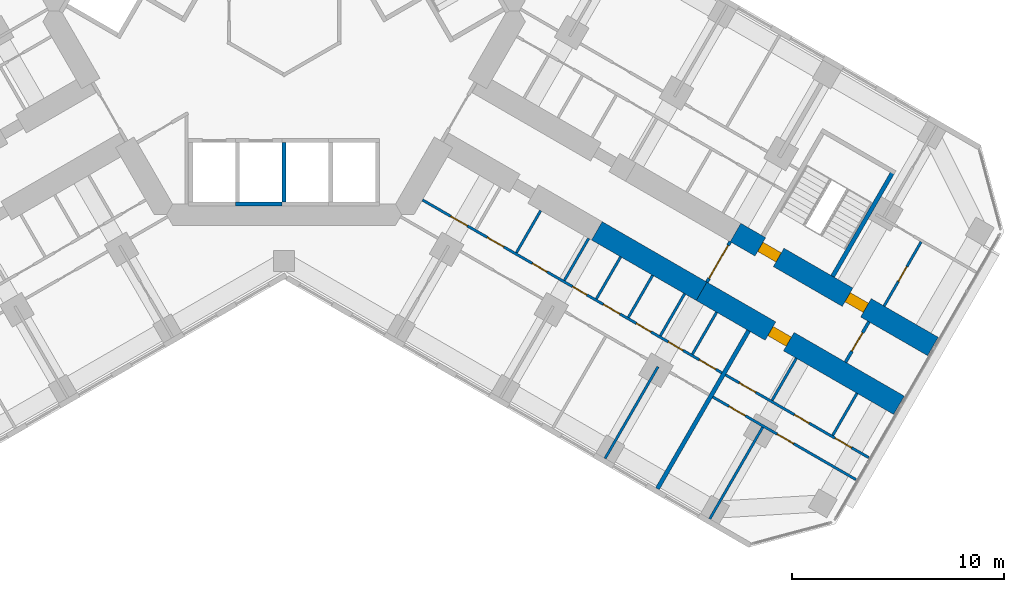
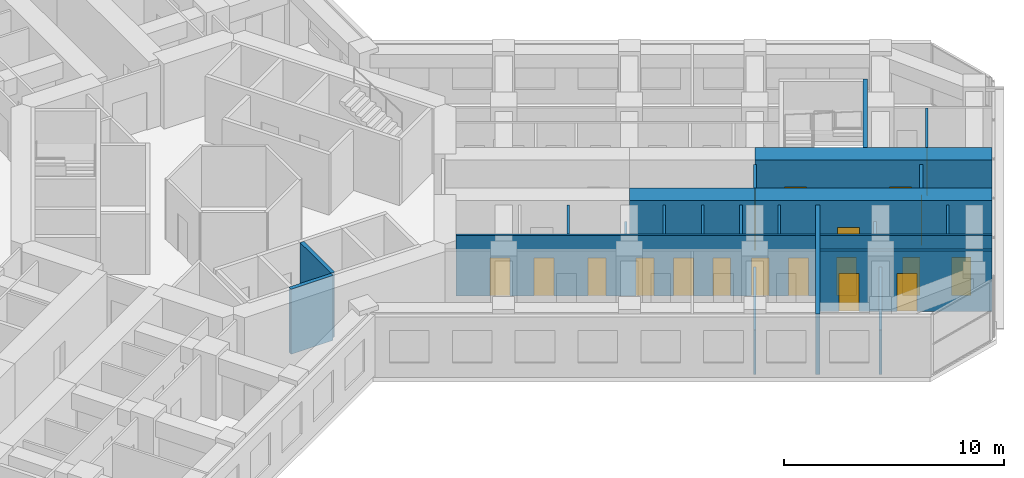
# One storey, part 14 of 21: 23 walls, 19 doors, 19 openings.
"""IFC4 building model written with IfcOpenShell, lengths in metres."""

from ifc_helpers import new_model, si_unit, direction, frame, frame_2d, origin, place, context, subcontext, project, spatial, rectangle, extrude, material, layer, layer_set, type_object, element, fill, save


model = new_model("IFC4")

# Units and contexts
model_context = context("Model", 3, precision=1e-05, world=origin(), true_north=direction((0.0, 1.0)))
body_context = subcontext(model_context, "Body", "Model", "MODEL_VIEW")
ifc_project = project(units=[si_unit("LENGTHUNIT", "METRE"), si_unit("AREAUNIT", "SQUARE_METRE"), si_unit("VOLUMEUNIT", "CUBIC_METRE"), si_unit("PLANEANGLEUNIT", "RADIAN"), si_unit("MASSUNIT", "GRAM", prefix="KILO")], contexts=[model_context])

# Site, building, storey
site_placement = place(None, origin())
site = spatial("IfcSite", under=ifc_project, at=site_placement, CompositionType="ELEMENT")
building_placement = place(site_placement, origin())
building = spatial("IfcBuilding", under=site, at=building_placement, Name="Kosmar Iwan School Tower", CompositionType="ELEMENT")
storey_placement = place(building_placement, frame((0.0, 0.0, 46.60009765625)))
storey = spatial("IfcBuildingStorey", under=building, at=storey_placement, Name="L10", CompositionType="ELEMENT", Elevation=46.60009765625)

# Wall, openings, doors
ifc_material_1 = material(Name="Concrete C50/60", Category="concrete")
ifc_layer_1 = layer(ifc_material_1, 1.0)
ifc_layer_set_1 = layer_set([ifc_layer_1], Name="Corridor buttress wall 1000")
wall_type_1 = type_object("IfcWallType", Name="Corridor buttress wall 1000", PredefinedType="SHEAR", material=ifc_layer_set_1)
wall_1_placement = place(storey_placement, frame((21.281494140625, -10.439453125, 0.0), z_axis=(0.0, 0.0, 1.0), x_axis=(0.866032345022, -0.499987977232, 0.0)))
wall_1 = element("IfcWall", 1, at=wall_1_placement, inside=storey, type_object=wall_type_1, Name="Corridor wall CL bay 3", PredefinedType="SHEAR", context=body_context, shape_type="SweptSolid", body=[
    extrude(rectangle(XDim=10.744873046875, YDim=1.0, at=frame_2d((5.37255859375, 0.0))), origin(), (0.0, 0.0, 1.0), 3.599853515625),
])
opening_1_placement = place(wall_1_placement, frame((6.10009765625, 0.0, 0.0)))
opening_1 = element("IfcOpeningElement", 2, at=opening_1_placement, cuts=wall_1, Name="Opening D1", PredefinedType="OPENING", context=body_context, shape_type="SweptSolid", body=[
    extrude(rectangle(XDim=1.0, YDim=2.10009765625, at=frame_2d((0.5, 1.050048828125))), frame((0.0, 0.511962890625, 0.0), z_axis=(0.0, -1.0, 0.0), x_axis=(1.0, 0.0, 0.0)), (0.0, 0.0, 1.0), 1.02392578125),
])
opening_2_placement = place(wall_1_placement, frame((1.35009765625, 0.0, 0.0)))
opening_2 = element("IfcOpeningElement", 3, at=opening_2_placement, cuts=wall_1, Name="Opening D6", PredefinedType="OPENING", context=body_context, shape_type="SweptSolid", body=[
    extrude(rectangle(XDim=1.0, YDim=2.10009765625, at=frame_2d((0.5, 1.050048828125))), frame((0.0, 0.511962890625, 0.0), z_axis=(0.0, -1.0, 0.0), x_axis=(1.0, 0.0, 0.0)), (0.0, 0.0, 1.0), 1.02392578125),
])
ifc_material_2 = material(Name="Timber fire door in steel frame", Category="steel")
door_type_1 = type_object("IfcDoorType", Name="Flat entrance door 1000x2100", OperationType="SINGLE_SWING_LEFT", PredefinedType="DOOR", material=ifc_material_2)
door_1_placement = place(opening_1_placement, origin())
door_1 = element("IfcDoor", 4, at=door_1_placement, inside=storey, type_object=door_type_1, Name="Flat L10-CL2 entrance door", OperationType="SINGLE_SWING_RIGHT", OverallHeight=2.10009765625, OverallWidth=1.0, PredefinedType="DOOR", context=body_context, shape_type="SweptSolid", body=[
    extrude(rectangle(XDim=1.0, YDim=2.10009765625, at=frame_2d((0.5, 1.050048828125))), frame((0.0, 0.25, 0.0), z_axis=(0.0, -1.0, 0.0), x_axis=(1.0, 0.0, 0.0)), (0.0, 0.0, 1.0), 0.5),
])
fill(opening_1, door_1)
ifc_material_3 = material(Name="Steel fire door", Category="steel")
door_type_2 = type_object("IfcDoorType", Name="Stair door 1000x2100", OperationType="SINGLE_SWING_LEFT", PredefinedType="DOOR", material=ifc_material_3)
door_2_placement = place(opening_2_placement, origin())
door_2 = element("IfcDoor", 5, at=door_2_placement, inside=storey, type_object=door_type_2, Name="Stair WS3 door L10", OperationType="SINGLE_SWING_LEFT", OverallHeight=2.10009765625, OverallWidth=1.0, PredefinedType="DOOR", context=body_context, shape_type="SweptSolid", body=[
    extrude(rectangle(XDim=1.0, YDim=2.10009765625, at=frame_2d((0.5, 1.050048828125))), frame((0.0, 0.25, 0.0), z_axis=(0.0, -1.0, 0.0), x_axis=(1.0, 0.0, 0.0)), (0.0, 0.0, 1.0), 0.5),
])
fill(opening_2, door_2)

# Wall
wall_2_placement = place(storey_placement, frame((14.7451171875, -10.360595703125, 0.0), z_axis=(0.0, 0.0, 1.0), x_axis=(0.866015111908, -0.50001782563, 0.0)))
element("IfcWall", 6, at=wall_2_placement, inside=storey, type_object=wall_type_1, Name="Corridor wall CR bay 2", PredefinedType="SHEAR", context=body_context, shape_type="SweptSolid", body=[
    extrude(rectangle(XDim=5.699951171875, YDim=1.0, at=frame_2d((2.85009765625, 0.0))), origin(), (0.0, 0.0, 1.0), 3.599853515625),
])

# Wall, opening, door
wall_3_placement = place(storey_placement, frame((19.681396484375, -13.210693359375, 0.0), z_axis=(0.0, 0.0, 1.0), x_axis=(0.866028186671, -0.499995179869, 0.0)))
wall_3 = element("IfcWall", 7, at=wall_3_placement, inside=storey, type_object=wall_type_1, Name="Corridor wall CR bay 3", PredefinedType="SHEAR", context=body_context, shape_type="SweptSolid", body=[
    extrude(rectangle(XDim=10.7451171875, YDim=1.0, at=frame_2d((5.37255859375, 0.0))), origin(), (0.0, 0.0, 1.0), 3.599853515625),
])
opening_3_placement = place(wall_3_placement, frame((3.75, 0.0, 0.0)))
opening_3 = element("IfcOpeningElement", 8, at=opening_3_placement, cuts=wall_3, Name="Opening D1", PredefinedType="OPENING", context=body_context, shape_type="SweptSolid", body=[
    extrude(rectangle(XDim=1.0, YDim=2.10009765625, at=frame_2d((0.5, 1.050048828125))), frame((0.0, 0.511962890625, 0.0), z_axis=(0.0, -1.0, 0.0), x_axis=(1.0, 0.0, 0.0)), (0.0, 0.0, 1.0), 1.02392578125),
])
door_3_placement = place(opening_3_placement, origin())
door_3 = element("IfcDoor", 9, at=door_3_placement, inside=storey, type_object=door_type_1, Name="Flat L10-CR2 entrance door", OperationType="SINGLE_SWING_RIGHT", OverallHeight=2.10009765625, OverallWidth=1.0, PredefinedType="DOOR", context=body_context, shape_type="SweptSolid", body=[
    extrude(rectangle(XDim=1.0, YDim=2.10009765625, at=frame_2d((0.5, 1.050048828125))), frame((0.0, 0.25, 0.0), z_axis=(0.0, -1.0, 0.0), x_axis=(1.0, 0.0, 0.0)), (0.0, 0.0, 1.0), 0.5),
])
fill(opening_3, door_3)

ifc_material_4 = material(Name="Gypsum board on steel studs, fire-rated", Category="steel")
ifc_layer_2 = layer(ifc_material_4, 0.14990234375)
ifc_layer_set_2 = layer_set([ifc_layer_2], Name="Corridor end wall 150")
wall_type_2 = type_object("IfcWallType", Name="Corridor end wall 150", PredefinedType="PARTITIONING", material=ifc_layer_set_2)
wall_4_placement = place(storey_placement, frame((26.469970703125, -16.552734375, 0.0), z_axis=(0.0, 0.0, 1.0), x_axis=(0.50002983664, 0.866008176907, 0.0)))
wall_4 = element("IfcWall", 10, at=wall_4_placement, inside=storey, type_object=wall_type_2, Name="Partition L10-C-CE", PredefinedType="PARTITIONING", context=body_context, shape_type="SweptSolid", body=[
    extrude(rectangle(XDim=2.199951171875, YDim=0.14990234375, at=frame_2d((1.10009765625, 0.0))), origin(), (0.0, 0.0, 1.0), 3.349853515625),
])
opening_4_placement = place(wall_4_placement, frame((0.60009765625, 0.0, 0.0)))
opening_4 = element("IfcOpeningElement", 11, at=opening_4_placement, cuts=wall_4, Name="Opening D13", PredefinedType="OPENING", context=body_context, shape_type="SweptSolid", body=[
    extrude(rectangle(XDim=1.0, YDim=2.10009765625, at=frame_2d((0.5, 1.050048828125))), frame((0.0, 0.0869140625, 0.0), z_axis=(0.0, -1.0, 0.0), x_axis=(1.0, 0.0, 0.0)), (0.0, 0.0, 1.0), 0.173828125),
])
ifc_material_5 = material(Name="Timber fire door with vision panel", Category="wood")
door_type_3 = type_object("IfcDoorType", Name="Corridor end door 1000x2100", OperationType="SINGLE_SWING_LEFT", PredefinedType="DOOR", material=ifc_material_5)
door_4_placement = place(opening_4_placement, origin())
door_4 = element("IfcDoor", 12, at=door_4_placement, inside=storey, type_object=door_type_3, Name="Laundry and drying room door L10-C", OperationType="SINGLE_SWING_RIGHT", OverallHeight=2.10009765625, OverallWidth=1.0, PredefinedType="DOOR", context=body_context, shape_type="SweptSolid", body=[
    extrude(rectangle(XDim=1.0, YDim=2.10009765625, at=frame_2d((0.5, 1.050048828125))), frame((0.0, 0.02490234375, 0.0), z_axis=(0.0, -1.0, 0.0), x_axis=(1.0, 0.0, 0.0)), (0.0, 0.0, 1.0), 0.050048828125),
])
fill(opening_4, door_4)

wall_5_placement = place(storey_placement, frame((19.931396484375, -12.777587890625, 0.0), z_axis=(0.0, 0.0, 1.0), x_axis=(0.50002983664, 0.866008176907, 0.0)))
wall_5 = element("IfcWall", 13, at=wall_5_placement, inside=storey, type_object=wall_type_2, Name="Partition L10-C-HW", PredefinedType="PARTITIONING", context=body_context, shape_type="SweptSolid", body=[
    extrude(rectangle(XDim=2.199951171875, YDim=0.14990234375, at=frame_2d((1.10009765625, 0.0))), origin(), (0.0, 0.0, 1.0), 3.349853515625),
])
opening_5_placement = place(wall_5_placement, frame((0.199951171875, 0.0, 0.0)))
opening_5 = element("IfcOpeningElement", 14, at=opening_5_placement, cuts=wall_5, Name="Opening D9", PredefinedType="OPENING", context=body_context, shape_type="SweptSolid", body=[
    extrude(rectangle(XDim=1.800048828125, YDim=2.10009765625, at=frame_2d((0.89990234375, 1.050048828125))), frame((0.0, 0.0869140625, 0.0), z_axis=(0.0, -1.0, 0.0), x_axis=(1.0, 0.0, 0.0)), (0.0, 0.0, 1.0), 0.173828125),
])
ifc_material_6 = material(Name="Steel framed glazed smoke door", Category="steel")
door_type_4 = type_object("IfcDoorType", Name="Corridor smoke door pair 1800x2100", OperationType="DOUBLE_DOOR_DOUBLE_SWING", PredefinedType="DOOR", material=ifc_material_6)
door_5_placement = place(opening_5_placement, origin())
door_5 = element("IfcDoor", 15, at=door_5_placement, inside=storey, type_object=door_type_4, Name="Entrance vestibule smoke doors L10-C", OperationType="DOUBLE_DOOR_DOUBLE_SWING", OverallHeight=2.10009765625, OverallWidth=1.800048828125, PredefinedType="DOOR", context=body_context, shape_type="SweptSolid", body=[
    extrude(rectangle(XDim=1.800048828125, YDim=2.10009765625, at=frame_2d((0.89990234375, 1.050048828125))), frame((0.0, 0.02490234375, 0.0), z_axis=(0.0, -1.0, 0.0), x_axis=(1.0, 0.0, 0.0)), (0.0, 0.0, 1.0), 0.050048828125),
])
fill(opening_5, door_5)

ifc_material_7 = material(Name="Gypsum board on steel studs", Category="steel")
ifc_layer_3 = layer(ifc_material_7, 0.1201171875)
ifc_layer_set_3 = layer_set([ifc_layer_3], Name="Dwelling partition 120")
wall_type_3 = type_object("IfcWallType", Name="Dwelling partition 120", PredefinedType="PARTITIONING", material=ifc_layer_set_3)
wall_6_placement = place(storey_placement, frame((28.286376953125, -13.90625, 0.0), z_axis=(0.0, 0.0, 1.0), x_axis=(0.50002117804, 0.866013176292, 0.0)))
wall_6 = element("IfcWall", 16, at=wall_6_placement, inside=storey, type_object=wall_type_3, Name="Partition L10-CL2-TY", PredefinedType="PARTITIONING", context=body_context, shape_type="SweptSolid", body=[
    extrude(rectangle(XDim=3.489990234375, YDim=0.1201171875, at=frame_2d((1.7451171875, 0.0))), origin(), (0.0, 0.0, 1.0), 3.349853515625),
])
opening_6_placement = place(wall_6_placement, frame((1.344970703125, 0.0, 0.0)))
opening_6 = element("IfcOpeningElement", 17, at=opening_6_placement, cuts=wall_6, Name="Opening D3", PredefinedType="OPENING", context=body_context, shape_type="SweptSolid", body=[
    extrude(rectangle(XDim=0.800048828125, YDim=2.10009765625, at=frame_2d((0.39990234375, 1.050048828125))), frame((0.0, 0.072021484375, 0.0), z_axis=(0.0, -1.0, 0.0), x_axis=(1.0, 0.0, 0.0)), (0.0, 0.0, 1.0), 0.14404296875),
])
ifc_material_8 = material(Name="Timber door in timber frame", Category="wood")
door_type_5 = type_object("IfcDoorType", Name="Sanitary room door 800x2100", OperationType="SINGLE_SWING_LEFT", PredefinedType="DOOR", material=ifc_material_8)
door_6_placement = place(opening_6_placement, origin())
door_6 = element("IfcDoor", 18, at=door_6_placement, inside=storey, type_object=door_type_5, Name="Bathroom door L10-CL2-T4", OperationType="SINGLE_SWING_LEFT", OverallHeight=2.10009765625, OverallWidth=0.800048828125, PredefinedType="DOOR", context=body_context, shape_type="SweptSolid", body=[
    extrude(rectangle(XDim=0.800048828125, YDim=2.10009765625, at=frame_2d((0.39990234375, 1.050048828125))), frame((0.0, 0.02490234375, 0.0), z_axis=(0.0, -1.0, 0.0), x_axis=(1.0, 0.0, 0.0)), (0.0, 0.0, 1.0), 0.050048828125),
])
fill(opening_6, door_6)

# Wall, openings, doors
wall_7_placement = place(storey_placement, frame((6.521728515625, -8.90380859375, 0.0), z_axis=(0.0, 0.0, 1.0), x_axis=(0.866031694176, -0.499989104564, 0.0)))
wall_7 = element("IfcWall", 19, at=wall_7_placement, inside=storey, type_object=wall_type_3, Name="Partition L10-CR1-W1", PredefinedType="PARTITIONING", context=body_context, shape_type="SweptSolid", body=[
    extrude(rectangle(XDim=16.300048828125, YDim=0.1201171875, at=frame_2d((8.14990234375, 0.0))), origin(), (0.0, 0.0, 1.0), 3.349853515625),
])
opening_7_placement = place(wall_7_placement, frame((1.5400390625, 0.0, 0.0)))
opening_7 = element("IfcOpeningElement", 20, at=opening_7_placement, cuts=wall_7, Name="Opening D2", PredefinedType="OPENING", context=body_context, shape_type="SweptSolid", body=[
    extrude(rectangle(XDim=0.89990234375, YDim=2.10009765625, at=frame_2d((0.449951171875, 1.050048828125))), frame((0.0, 0.072021484375, 0.0), z_axis=(0.0, -1.0, 0.0), x_axis=(1.0, 0.0, 0.0)), (0.0, 0.0, 1.0), 0.14404296875),
])
opening_8_placement = place(wall_7_placement, frame((3.530029296875, 0.0, 0.0)))
opening_8 = element("IfcOpeningElement", 21, at=opening_8_placement, cuts=wall_7, Name="Opening D2", PredefinedType="OPENING", context=body_context, shape_type="SweptSolid", body=[
    extrude(rectangle(XDim=0.89990234375, YDim=2.10009765625, at=frame_2d((0.449951171875, 1.050048828125))), frame((0.0, 0.072021484375, 0.0), z_axis=(0.0, -1.0, 0.0), x_axis=(1.0, 0.0, 0.0)), (0.0, 0.0, 1.0), 0.14404296875),
])
opening_9_placement = place(wall_7_placement, frame((5.986083984375, 0.0, 0.0)))
opening_9 = element("IfcOpeningElement", 22, at=opening_9_placement, cuts=wall_7, Name="Opening D3", PredefinedType="OPENING", context=body_context, shape_type="SweptSolid", body=[
    extrude(rectangle(XDim=0.800048828125, YDim=2.10009765625, at=frame_2d((0.39990234375, 1.050048828125))), frame((0.0, 0.072021484375, 0.0), z_axis=(0.0, -1.0, 0.0), x_axis=(1.0, 0.0, 0.0)), (0.0, 0.0, 1.0), 0.14404296875),
])
opening_10_placement = place(wall_7_placement, frame((8.1630859375, 0.0, 0.0)))
opening_10 = element("IfcOpeningElement", 23, at=opening_10_placement, cuts=wall_7, Name="Opening D3", PredefinedType="OPENING", context=body_context, shape_type="SweptSolid", body=[
    extrude(rectangle(XDim=0.800048828125, YDim=2.10009765625, at=frame_2d((0.39990234375, 1.050048828125))), frame((0.0, 0.072021484375, 0.0), z_axis=(0.0, -1.0, 0.0), x_axis=(1.0, 0.0, 0.0)), (0.0, 0.0, 1.0), 0.14404296875),
])
opening_11_placement = place(wall_7_placement, frame((9.854736328125, 0.0, 0.0)))
opening_11 = element("IfcOpeningElement", 24, at=opening_11_placement, cuts=wall_7, Name="Opening D2", PredefinedType="OPENING", context=body_context, shape_type="SweptSolid", body=[
    extrude(rectangle(XDim=0.89990234375, YDim=2.10009765625, at=frame_2d((0.449951171875, 1.050048828125))), frame((0.0, 0.072021484375, 0.0), z_axis=(0.0, -1.0, 0.0), x_axis=(1.0, 0.0, 0.0)), (0.0, 0.0, 1.0), 0.14404296875),
])
opening_12_placement = place(wall_7_placement, frame((11.646240234375, 0.0, 0.0)))
opening_12 = element("IfcOpeningElement", 25, at=opening_12_placement, cuts=wall_7, Name="Opening D3", PredefinedType="OPENING", context=body_context, shape_type="SweptSolid", body=[
    extrude(rectangle(XDim=0.800048828125, YDim=2.10009765625, at=frame_2d((0.39990234375, 1.050048828125))), frame((0.0, 0.072021484375, 0.0), z_axis=(0.0, -1.0, 0.0), x_axis=(1.0, 0.0, 0.0)), (0.0, 0.0, 1.0), 0.14404296875),
])
opening_13_placement = place(wall_7_placement, frame((13.3876953125, 0.0, 0.0)))
opening_13 = element("IfcOpeningElement", 26, at=opening_13_placement, cuts=wall_7, Name="Opening D3", PredefinedType="OPENING", context=body_context, shape_type="SweptSolid", body=[
    extrude(rectangle(XDim=0.800048828125, YDim=2.10009765625, at=frame_2d((0.39990234375, 1.050048828125))), frame((0.0, 0.072021484375, 0.0), z_axis=(0.0, -1.0, 0.0), x_axis=(1.0, 0.0, 0.0)), (0.0, 0.0, 1.0), 0.14404296875),
])
opening_14_placement = place(wall_7_placement, frame((15.079345703125, 0.0, 0.0)))
opening_14 = element("IfcOpeningElement", 27, at=opening_14_placement, cuts=wall_7, Name="Opening D2", PredefinedType="OPENING", context=body_context, shape_type="SweptSolid", body=[
    extrude(rectangle(XDim=0.89990234375, YDim=2.10009765625, at=frame_2d((0.449951171875, 1.050048828125))), frame((0.0, 0.072021484375, 0.0), z_axis=(0.0, -1.0, 0.0), x_axis=(1.0, 0.0, 0.0)), (0.0, 0.0, 1.0), 0.14404296875),
])
ifc_material_9 = material(Name="Timber door in timber frame", Category="wood")
door_type_6 = type_object("IfcDoorType", Name="Internal door 900x2100", OperationType="SINGLE_SWING_LEFT", PredefinedType="DOOR", material=ifc_material_9)
door_7_placement = place(opening_7_placement, origin())
door_7 = element("IfcDoor", 28, at=door_7_placement, inside=storey, type_object=door_type_6, Name="Utility room door L10-CR1-S1", OperationType="SINGLE_SWING_RIGHT", OverallHeight=2.10009765625, OverallWidth=0.89990234375, PredefinedType="DOOR", context=body_context, shape_type="SweptSolid", body=[
    extrude(rectangle(XDim=0.89990234375, YDim=2.10009765625, at=frame_2d((0.449951171875, 1.050048828125))), frame((0.0, 0.02490234375, 0.0), z_axis=(0.0, -1.0, 0.0), x_axis=(1.0, 0.0, 0.0)), (0.0, 0.0, 1.0), 0.050048828125),
])
fill(opening_7, door_7)
door_8_placement = place(opening_8_placement, origin())
door_8 = element("IfcDoor", 29, at=door_8_placement, inside=storey, type_object=door_type_6, Name="Entrance hall door L10-CR1-S2", OperationType="SINGLE_SWING_LEFT", OverallHeight=2.10009765625, OverallWidth=0.89990234375, PredefinedType="DOOR", context=body_context, shape_type="SweptSolid", body=[
    extrude(rectangle(XDim=0.89990234375, YDim=2.10009765625, at=frame_2d((0.449951171875, 1.050048828125))), frame((0.0, 0.02490234375, 0.0), z_axis=(0.0, -1.0, 0.0), x_axis=(1.0, 0.0, 0.0)), (0.0, 0.0, 1.0), 0.050048828125),
])
fill(opening_8, door_8)
door_9_placement = place(opening_11_placement, origin())
door_9 = element("IfcDoor", 30, at=door_9_placement, inside=storey, type_object=door_type_6, Name="Pantry door L10-CR1-S5", OperationType="SINGLE_SWING_RIGHT", OverallHeight=2.10009765625, OverallWidth=0.89990234375, PredefinedType="DOOR", context=body_context, shape_type="SweptSolid", body=[
    extrude(rectangle(XDim=0.89990234375, YDim=2.10009765625, at=frame_2d((0.449951171875, 1.050048828125))), frame((0.0, 0.02490234375, 0.0), z_axis=(0.0, -1.0, 0.0), x_axis=(1.0, 0.0, 0.0)), (0.0, 0.0, 1.0), 0.050048828125),
])
fill(opening_11, door_9)
door_10_placement = place(opening_14_placement, origin())
door_10 = element("IfcDoor", 31, at=door_10_placement, inside=storey, type_object=door_type_6, Name="Dressing room door L10-CR1-S8", OperationType="SINGLE_SWING_RIGHT", OverallHeight=2.10009765625, OverallWidth=0.89990234375, PredefinedType="DOOR", context=body_context, shape_type="SweptSolid", body=[
    extrude(rectangle(XDim=0.89990234375, YDim=2.10009765625, at=frame_2d((0.449951171875, 1.050048828125))), frame((0.0, 0.02490234375, 0.0), z_axis=(0.0, -1.0, 0.0), x_axis=(1.0, 0.0, 0.0)), (0.0, 0.0, 1.0), 0.050048828125),
])
fill(opening_14, door_10)
door_11_placement = place(opening_9_placement, origin())
door_11 = element("IfcDoor", 32, at=door_11_placement, inside=storey, type_object=door_type_5, Name="Bathroom door L10-CR1-S3", OperationType="SINGLE_SWING_RIGHT", OverallHeight=2.10009765625, OverallWidth=0.800048828125, PredefinedType="DOOR", context=body_context, shape_type="SweptSolid", body=[
    extrude(rectangle(XDim=0.800048828125, YDim=2.10009765625, at=frame_2d((0.39990234375, 1.050048828125))), frame((0.0, 0.02490234375, 0.0), z_axis=(0.0, -1.0, 0.0), x_axis=(1.0, 0.0, 0.0)), (0.0, 0.0, 1.0), 0.050048828125),
])
fill(opening_9, door_11)
door_12_placement = place(opening_10_placement, origin())
door_12 = element("IfcDoor", 33, at=door_12_placement, inside=storey, type_object=door_type_5, Name="Shower room door L10-CR1-S4", OperationType="SINGLE_SWING_LEFT", OverallHeight=2.10009765625, OverallWidth=0.800048828125, PredefinedType="DOOR", context=body_context, shape_type="SweptSolid", body=[
    extrude(rectangle(XDim=0.800048828125, YDim=2.10009765625, at=frame_2d((0.39990234375, 1.050048828125))), frame((0.0, 0.02490234375, 0.0), z_axis=(0.0, -1.0, 0.0), x_axis=(1.0, 0.0, 0.0)), (0.0, 0.0, 1.0), 0.050048828125),
])
fill(opening_10, door_12)
door_13_placement = place(opening_12_placement, origin())
door_13 = element("IfcDoor", 34, at=door_13_placement, inside=storey, type_object=door_type_5, Name="WC door L10-CR1-S6", OperationType="SINGLE_SWING_LEFT", OverallHeight=2.10009765625, OverallWidth=0.800048828125, PredefinedType="DOOR", context=body_context, shape_type="SweptSolid", body=[
    extrude(rectangle(XDim=0.800048828125, YDim=2.10009765625, at=frame_2d((0.39990234375, 1.050048828125))), frame((0.0, 0.02490234375, 0.0), z_axis=(0.0, -1.0, 0.0), x_axis=(1.0, 0.0, 0.0)), (0.0, 0.0, 1.0), 0.050048828125),
])
fill(opening_12, door_13)
door_14_placement = place(opening_13_placement, origin())
door_14 = element("IfcDoor", 35, at=door_14_placement, inside=storey, type_object=door_type_5, Name="Store door L10-CR1-S7", OperationType="SINGLE_SWING_RIGHT", OverallHeight=2.10009765625, OverallWidth=0.800048828125, PredefinedType="DOOR", context=body_context, shape_type="SweptSolid", body=[
    extrude(rectangle(XDim=0.800048828125, YDim=2.10009765625, at=frame_2d((0.39990234375, 1.050048828125))), frame((0.0, 0.02490234375, 0.0), z_axis=(0.0, -1.0, 0.0), x_axis=(1.0, 0.0, 0.0)), (0.0, 0.0, 1.0), 0.050048828125),
])
fill(opening_13, door_14)

# Walls
wall_8_placement = place(storey_placement, frame((17.62646484375, -16.77001953125, 0.0), z_axis=(0.0, 0.0, 1.0), x_axis=(-0.499975153383, -0.86603974851, 0.0)))
element("IfcWall", 36, at=wall_8_placement, inside=storey, type_object=wall_type_3, Name="Partition L10-CR1-X4", PredefinedType="PARTITIONING", context=body_context, shape_type="SweptSolid", body=[
    extrude(rectangle(XDim=4.989990234375, YDim=0.1201171875, at=frame_2d((2.4951171875, 0.0))), origin(), (0.0, 0.0, 1.0), 2.449951171875),
])
wall_9_placement = place(storey_placement, frame((12.09619140625, -9.40869140625, 0.0), z_axis=(0.0, 0.0, 1.0), x_axis=(-0.500014693593, -0.866016920268, 0.0)))
element("IfcWall", 37, at=wall_9_placement, inside=storey, type_object=wall_type_3, Name="Partition L10-CR1-Y2", PredefinedType="PARTITIONING", context=body_context, shape_type="SweptSolid", body=[
    extrude(rectangle(XDim=2.2900390625, YDim=0.1201171875, at=frame_2d((1.14501953125, 0.0))), origin(), (0.0, 0.0, 1.0), 3.349853515625),
])
wall_10_placement = place(storey_placement, frame((14.358642578125, -10.71484375, 0.0), z_axis=(0.0, 0.0, 1.0), x_axis=(-0.500014693593, -0.866016920268, 0.0)))
element("IfcWall", 38, at=wall_10_placement, inside=storey, type_object=wall_type_3, Name="Partition L10-CR1-Y3", PredefinedType="PARTITIONING", context=body_context, shape_type="SweptSolid", body=[
    extrude(rectangle(XDim=2.2900390625, YDim=0.1201171875, at=frame_2d((1.14501953125, 0.0))), origin(), (0.0, 0.0, 1.0), 2.449951171875),
])
for number, where, z_axis, x_axis, name in (
    (39, (15.86669921875, -11.58544921875, 0.0), (0.0, 0.0, 1.0), (-0.499888569412, -0.866089728707, 0.0), "Partition L10-CR1-Y4"),
    (40, (17.375, -12.456298828125, 0.0), (0.0, 0.0, 1.0), (-0.500014693593, -0.866016920268, 0.0), "Partition L10-CR1-Y5"),
    (41, (18.88330078125, -13.3271484375, 0.0), (0.0, 0.0, 1.0), (-0.500014693593, -0.866016920268, 0.0), "Partition L10-CR1-Y6"),
):
    element("IfcWall", number, at=place(storey_placement, frame(where, z_axis=z_axis, x_axis=x_axis)), inside=storey, type_object=wall_type_3, Name=name, PredefinedType="PARTITIONING", context=body_context, shape_type="SweptSolid", body=[
        extrude(rectangle(XDim=2.2900390625, YDim=0.1201171875, at=frame_2d((1.14501953125, 0.0))), origin(), (0.0, 0.0, 1.0), 3.349853515625),
    ])
wall_11_placement = place(storey_placement, frame((20.391357421875, -14.19775390625, 0.0), z_axis=(0.0, 0.0, 1.0), x_axis=(-0.499968531483, -0.866043571379, 0.0)))
element("IfcWall", 42, at=wall_11_placement, inside=storey, type_object=wall_type_3, Name="Partition L10-CR1-Y7", PredefinedType="PARTITIONING", context=body_context, shape_type="SweptSolid", body=[
    extrude(rectangle(XDim=2.290283203125, YDim=0.1201171875, at=frame_2d((1.14501953125, 0.0))), origin(), (0.0, 0.0, 1.0), 3.349853515625),
])

# Wall, openings, doors
wall_12_placement = place(storey_placement, frame((20.811279296875, -17.15380859375, 0.0), z_axis=(0.0, 0.0, 1.0), x_axis=(0.866029639064, -0.499992664208, 0.0)))
wall_12 = element("IfcWall", 43, at=wall_12_placement, inside=storey, type_object=wall_type_3, Name="Partition L10-CR2-W1", PredefinedType="PARTITIONING", context=body_context, shape_type="SweptSolid", body=[
    extrude(rectangle(XDim=7.794921875, YDim=0.1201171875, at=frame_2d((3.8974609375, 0.0))), origin(), (0.0, 0.0, 1.0), 3.349853515625),
])
opening_15_placement = place(wall_12_placement, frame((0.75, 0.0, 0.0)))
opening_15 = element("IfcOpeningElement", 44, at=opening_15_placement, cuts=wall_12, Name="Opening D2", PredefinedType="OPENING", context=body_context, shape_type="SweptSolid", body=[
    extrude(rectangle(XDim=0.89990234375, YDim=2.10009765625, at=frame_2d((0.449951171875, 1.050048828125))), frame((0.0, 0.072021484375, 0.0), z_axis=(0.0, -1.0, 0.0), x_axis=(1.0, 0.0, 0.0)), (0.0, 0.0, 1.0), 0.14404296875),
])
opening_16_placement = place(wall_12_placement, frame((3.75, 0.0, 0.0)))
opening_16 = element("IfcOpeningElement", 45, at=opening_16_placement, cuts=wall_12, Name="Opening D3", PredefinedType="OPENING", context=body_context, shape_type="SweptSolid", body=[
    extrude(rectangle(XDim=0.800048828125, YDim=2.10009765625, at=frame_2d((0.39990234375, 1.050048828125))), frame((0.0, 0.072021484375, 0.0), z_axis=(0.0, -1.0, 0.0), x_axis=(1.0, 0.0, 0.0)), (0.0, 0.0, 1.0), 0.14404296875),
])
opening_17_placement = place(wall_12_placement, frame((5.9599609375, 0.0, 0.0)))
opening_17 = element("IfcOpeningElement", 46, at=opening_17_placement, cuts=wall_12, Name="Opening D2", PredefinedType="OPENING", context=body_context, shape_type="SweptSolid", body=[
    extrude(rectangle(XDim=0.89990234375, YDim=2.10009765625, at=frame_2d((0.449951171875, 1.050048828125))), frame((0.0, 0.072021484375, 0.0), z_axis=(0.0, -1.0, 0.0), x_axis=(1.0, 0.0, 0.0)), (0.0, 0.0, 1.0), 0.14404296875),
])
door_15_placement = place(opening_15_placement, origin())
door_15 = element("IfcDoor", 47, at=door_15_placement, inside=storey, type_object=door_type_6, Name="Entrance hall door L10-CR2-S1", OperationType="SINGLE_SWING_RIGHT", OverallHeight=2.10009765625, OverallWidth=0.89990234375, PredefinedType="DOOR", context=body_context, shape_type="SweptSolid", body=[
    extrude(rectangle(XDim=0.89990234375, YDim=2.10009765625, at=frame_2d((0.449951171875, 1.050048828125))), frame((0.0, 0.02490234375, 0.0), z_axis=(0.0, -1.0, 0.0), x_axis=(1.0, 0.0, 0.0)), (0.0, 0.0, 1.0), 0.050048828125),
])
fill(opening_15, door_15)
door_16_placement = place(opening_17_placement, origin())
door_16 = element("IfcDoor", 48, at=door_16_placement, inside=storey, type_object=door_type_6, Name="Pantry door L10-CR2-S3", OperationType="SINGLE_SWING_LEFT", OverallHeight=2.10009765625, OverallWidth=0.89990234375, PredefinedType="DOOR", context=body_context, shape_type="SweptSolid", body=[
    extrude(rectangle(XDim=0.89990234375, YDim=2.10009765625, at=frame_2d((0.449951171875, 1.050048828125))), frame((0.0, 0.02490234375, 0.0), z_axis=(0.0, -1.0, 0.0), x_axis=(1.0, 0.0, 0.0)), (0.0, 0.0, 1.0), 0.050048828125),
])
fill(opening_17, door_16)
door_17_placement = place(opening_16_placement, origin())
door_17 = element("IfcDoor", 49, at=door_17_placement, inside=storey, type_object=door_type_5, Name="Bathroom door L10-CR2-S2", OperationType="SINGLE_SWING_LEFT", OverallHeight=2.10009765625, OverallWidth=0.800048828125, PredefinedType="DOOR", context=body_context, shape_type="SweptSolid", body=[
    extrude(rectangle(XDim=0.800048828125, YDim=2.10009765625, at=frame_2d((0.39990234375, 1.050048828125))), frame((0.0, 0.02490234375, 0.0), z_axis=(0.0, -1.0, 0.0), x_axis=(1.0, 0.0, 0.0)), (0.0, 0.0, 1.0), 0.050048828125),
])
fill(opening_16, door_17)

wall_13_placement = place(storey_placement, frame((20.211181640625, -18.193115234375, 0.0), z_axis=(0.0, 0.0, 1.0), x_axis=(0.866029639064, -0.499992664208, 0.0)))
wall_13 = element("IfcWall", 50, at=wall_13_placement, inside=storey, type_object=wall_type_3, Name="Partition L10-CR2-W2", PredefinedType="PARTITIONING", context=body_context, shape_type="SweptSolid", body=[
    extrude(rectangle(XDim=7.794921875, YDim=0.1201171875, at=frame_2d((3.8974609375, 0.0))), origin(), (0.0, 0.0, 1.0), 3.349853515625),
])
opening_18_placement = place(wall_13_placement, frame((0.875, 0.0, 0.0)))
opening_18 = element("IfcOpeningElement", 51, at=opening_18_placement, cuts=wall_13, Name="Opening D2", PredefinedType="OPENING", context=body_context, shape_type="SweptSolid", body=[
    extrude(rectangle(XDim=0.89990234375, YDim=2.10009765625, at=frame_2d((0.449951171875, 1.050048828125))), frame((0.0, 0.072021484375, 0.0), z_axis=(0.0, -1.0, 0.0), x_axis=(1.0, 0.0, 0.0)), (0.0, 0.0, 1.0), 0.14404296875),
])
opening_19_placement = place(wall_13_placement, frame((3.5, 0.0, 0.0)))
opening_19 = element("IfcOpeningElement", 52, at=opening_19_placement, cuts=wall_13, Name="Opening D2", PredefinedType="OPENING", context=body_context, shape_type="SweptSolid", body=[
    extrude(rectangle(XDim=0.89990234375, YDim=2.10009765625, at=frame_2d((0.449951171875, 1.050048828125))), frame((0.0, 0.072021484375, 0.0), z_axis=(0.0, -1.0, 0.0), x_axis=(1.0, 0.0, 0.0)), (0.0, 0.0, 1.0), 0.14404296875),
])
door_18_placement = place(opening_18_placement, origin())
door_18 = element("IfcDoor", 53, at=door_18_placement, inside=storey, type_object=door_type_6, Name="Bedroom 1 door L10-CR2-F1", OperationType="SINGLE_SWING_LEFT", OverallHeight=2.10009765625, OverallWidth=0.89990234375, PredefinedType="DOOR", context=body_context, shape_type="SweptSolid", body=[
    extrude(rectangle(XDim=0.89990234375, YDim=2.10009765625, at=frame_2d((0.449951171875, 1.050048828125))), frame((0.0, 0.02490234375, 0.0), z_axis=(0.0, -1.0, 0.0), x_axis=(1.0, 0.0, 0.0)), (0.0, 0.0, 1.0), 0.050048828125),
])
fill(opening_18, door_18)
door_19_placement = place(opening_19_placement, origin())
door_19 = element("IfcDoor", 54, at=door_19_placement, inside=storey, type_object=door_type_6, Name="Living room and kitchen door L10-CR2-F2", OperationType="SINGLE_SWING_RIGHT", OverallHeight=2.10009765625, OverallWidth=0.89990234375, PredefinedType="DOOR", context=body_context, shape_type="SweptSolid", body=[
    extrude(rectangle(XDim=0.89990234375, YDim=2.10009765625, at=frame_2d((0.449951171875, 1.050048828125))), frame((0.0, 0.02490234375, 0.0), z_axis=(0.0, -1.0, 0.0), x_axis=(1.0, 0.0, 0.0)), (0.0, 0.0, 1.0), 0.050048828125),
])
fill(opening_19, door_19)

# Walls
wall_14_placement = place(storey_placement, frame((22.562744140625, -19.6201171875, 0.0), z_axis=(0.0, 0.0, 1.0), x_axis=(-0.499996339024, -0.86602751744, 0.0)))
element("IfcWall", 55, at=wall_14_placement, inside=storey, type_object=wall_type_3, Name="Partition L10-CR2-X1", PredefinedType="PARTITIONING", context=body_context, shape_type="SweptSolid", body=[
    extrude(rectangle(XDim=4.98974609375, YDim=0.1201171875, at=frame_2d((2.494873046875, 0.0))), origin(), (0.0, 0.0, 1.0), 2.449951171875),
])
wall_15_placement = place(storey_placement, frame((24.1513671875, -16.36865234375, 0.0), z_axis=(0.0, 0.0, 1.0), x_axis=(-0.500014693593, -0.866016920268, 0.0)))
element("IfcWall", 56, at=wall_15_placement, inside=storey, type_object=wall_type_3, Name="Partition L10-CR2-Y1", PredefinedType="PARTITIONING", context=body_context, shape_type="SweptSolid", body=[
    extrude(rectangle(XDim=2.2900390625, YDim=0.1201171875, at=frame_2d((1.14501953125, 0.0))), origin(), (0.0, 0.0, 1.0), 2.449951171875),
])
wall_16_placement = place(storey_placement, frame((27.00927734375, -18.0185546875, 0.0), z_axis=(0.0, 0.0, 1.0), x_axis=(-0.499968531483, -0.866043571379, 0.0)))
element("IfcWall", 57, at=wall_16_placement, inside=storey, type_object=wall_type_3, Name="Partition L10-CR2-Y2", PredefinedType="PARTITIONING", context=body_context, shape_type="SweptSolid", body=[
    extrude(rectangle(XDim=2.290283203125, YDim=0.1201171875, at=frame_2d((1.14501953125, 0.0))), origin(), (0.0, 0.0, 1.0), 3.349853515625),
])
ifc_material_10 = material(Name="Concrete C35/45", Category="concrete")
ifc_layer_4 = layer(ifc_material_10, 0.199951171875)
ifc_layer_set_4 = layer_set([ifc_layer_4], Name="Escape stair wall 200")
wall_type_4 = type_object("IfcWallType", Name="Escape stair wall 200", PredefinedType="SHEAR", material=ifc_layer_set_4)
wall_17_placement = place(storey_placement, frame((25.861572265625, -12.50634765625, 0.0), z_axis=(0.0, 0.0, 1.0), x_axis=(0.500018801468, 0.86601454848, 0.0)))
element("IfcWall", 58, at=wall_17_placement, inside=storey, type_object=wall_type_4, Name="Stair WS3 wall", PredefinedType="SHEAR", context=body_context, shape_type="SweptSolid", body=[
    extrude(rectangle(XDim=5.800048828125, YDim=0.199951171875, at=frame_2d((2.89990234375, 0.0))), origin(), (0.0, 0.0, 1.0), 3.329833984375),
])
ifc_material_11 = material(Name="Concrete C50/60", Category="concrete")
ifc_layer_5 = layer(ifc_material_11, 0.199951171875)
ifc_layer_set_5 = layer_set([ifc_layer_5], Name="Lift shaft wall 200")
wall_type_5 = type_object("IfcWallType", Name="Lift shaft wall 200", PredefinedType="SHEAR", material=ifc_layer_set_5)
wall_18_placement = place(storey_placement, frame((-2.300048828125, -9.10009765625, 0.0), z_axis=(0.0, 0.0, 1.0), x_axis=(1.0, 0.0, 0.0)))
element("IfcWall", 59, at=wall_18_placement, inside=storey, type_object=wall_type_5, Name="Lift and stair back wall BC", PredefinedType="SHEAR", context=body_context, shape_type="SweptSolid", body=[
    extrude(rectangle(XDim=2.199951171875, YDim=0.199951171875, at=frame_2d((1.10009765625, 0.0))), origin(), (0.0, 0.0, 1.0), 3.599853515625),
])
wall_19_placement = place(storey_placement, frame((0.0, -6.199951171875, 0.0), z_axis=(0.0, 0.0, 1.0), x_axis=(0.0, -1.0, 0.0)))
element("IfcWall", 60, at=wall_19_placement, inside=storey, type_object=wall_type_5, Name="Lift shaft wall BC 2", PredefinedType="SHEAR", context=body_context, shape_type="SweptSolid", body=[
    extrude(rectangle(XDim=2.800048828125, YDim=0.199951171875, at=frame_2d((1.39990234375, 0.0))), origin(), (0.0, 0.0, 1.0), 3.599853515625),
])
ifc_material_12 = material(Name="Concrete block masonry", Category="masonry")
ifc_layer_6 = layer(ifc_material_12, 0.199951171875)
ifc_layer_set_6 = layer_set([ifc_layer_6], Name="Party wall 200")
wall_type_6 = type_object("IfcWallType", Name="Party wall 200", PredefinedType="PARTITIONING", material=ifc_layer_set_6)
wall_20_placement = place(storey_placement, frame((21.899658203125, -15.068603515625, 0.0), z_axis=(0.0, 0.0, 1.0), x_axis=(-0.499995216735, -0.866028165386, 0.0)))
element("IfcWall", 61, at=wall_20_placement, inside=storey, type_object=wall_type_6, Name="Partition L10-CR2-PW", PredefinedType="PARTITIONING", context=body_context, shape_type="SweptSolid", body=[
    extrude(rectangle(XDim=8.60009765625, YDim=0.199951171875, at=frame_2d((4.300048828125, 0.0))), origin(), (0.0, 0.0, 1.0), 3.349853515625),
])

save(model, "model.ifc")
